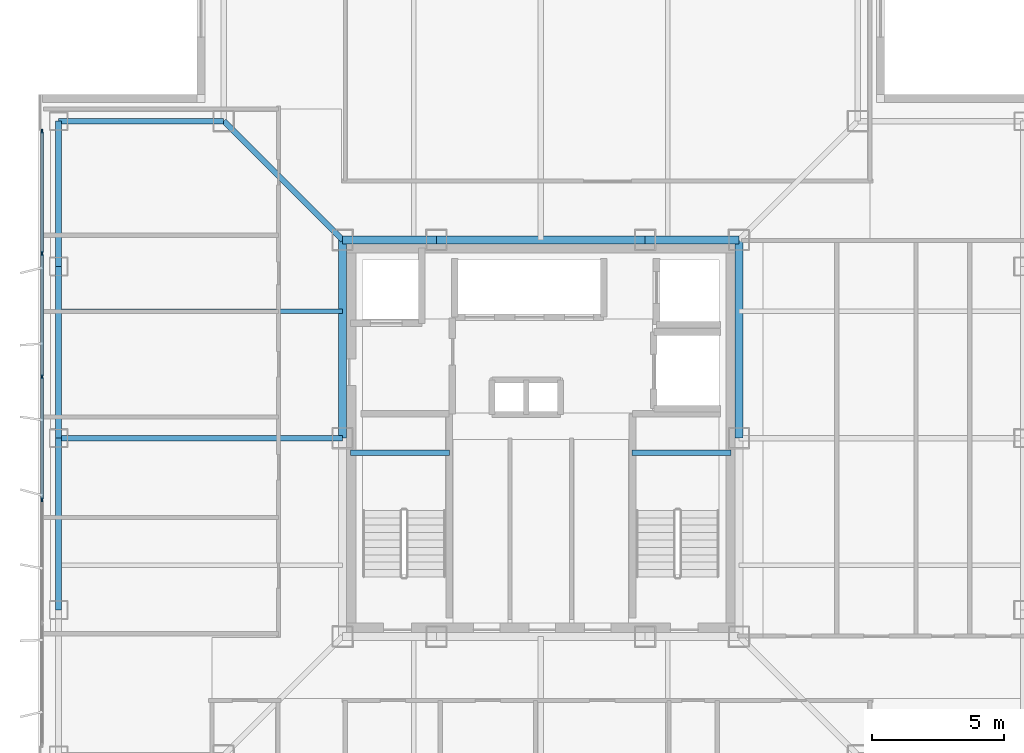
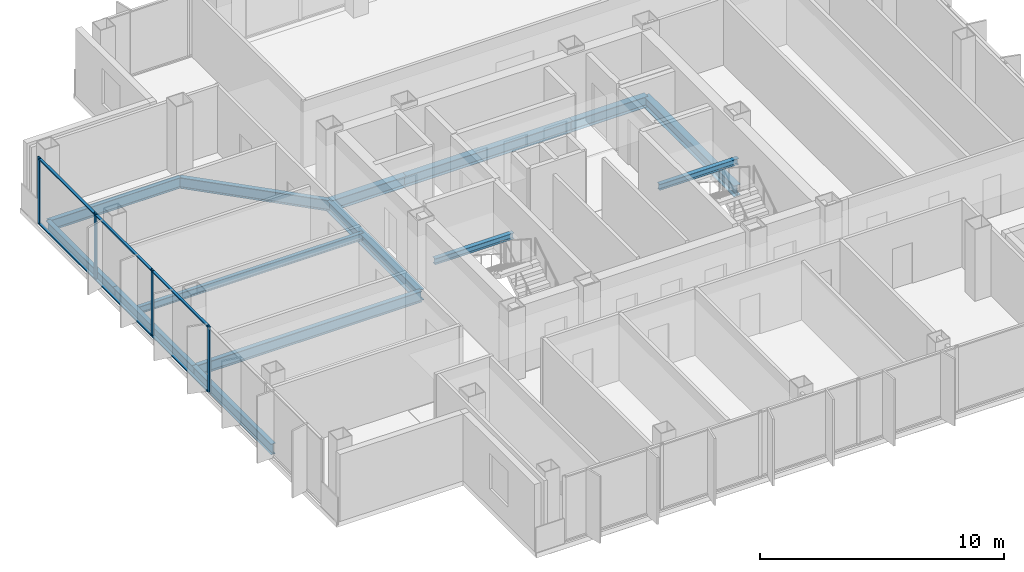
# One storey, part 4 of 15: 14 beams, 10 members, 1 element without a shape of its own.
"""IFC4 building model written with IfcOpenShell, lengths in metres."""

from ifc_helpers import new_model, si_unit, direction, frame, origin, origin_2d, place, context, subcontext, project, spatial, rectangle, i_section, extrude, material, layer, layer_set, material_profile, profile_set, type_object, element, aggregate, save


model = new_model("IFC4")

# Units and contexts
model_context = context("Model", 3, precision=1e-05, world=origin(), true_north=direction((0.0, 1.0)))
body_context = subcontext(model_context, "Body", "Model", "MODEL_VIEW")
ifc_project = project(units=[si_unit("LENGTHUNIT", "METRE"), si_unit("AREAUNIT", "SQUARE_METRE"), si_unit("VOLUMEUNIT", "CUBIC_METRE"), si_unit("PLANEANGLEUNIT", "RADIAN"), si_unit("MASSUNIT", "GRAM", prefix="KILO")], contexts=[model_context])

# Site, building, storey
site_placement = place(None, origin())
site = spatial("IfcSite", under=ifc_project, at=site_placement, CompositionType="ELEMENT")
building_placement = place(site_placement, origin())
building = spatial("IfcBuilding", under=site, at=building_placement, Name="Trevonay Congress Spire", CompositionType="ELEMENT")
storey_placement = place(building_placement, frame((0.0, 0.0, 293.60009765625)))
storey = spatial("IfcBuildingStorey", under=building, at=storey_placement, Name="L77", CompositionType="ELEMENT", Elevation=293.60009765625)

# Beams
ifc_material_1 = material(Name="Steel ASTM A572 Grade 50", Category="steel")
ifc_material_profile_1 = material_profile(ifc_material_1, i_section(OverallWidth=0.2119140625, OverallDepth=0.5439453125, WebThickness=0.01318359375, FlangeThickness=0.021240234375, FilletRadius=0.014892578125, at=origin_2d()), Name="W530x123")
ifc_profile_set_1 = profile_set([ifc_material_profile_1], Name="Steel ASTM A572 Grade 50")
beam_type_1 = type_object("IfcBeamType", Name="BM-GIRD-W530X123", PredefinedType="BEAM", material=ifc_profile_set_1)
beam_1_placement = place(storey_placement, frame((-7.5, 7.5, -0.51220703125), z_axis=(-0.707106781187, 0.707106781187, 0.0), x_axis=(-0.707106781187, -0.707106781187, 0.0)))
element("IfcBeam", 1, at=beam_1_placement, inside=storey, type_object=beam_type_1, Name="L77 structural beam BM-L77-CDNW", PredefinedType="BEAM", context=body_context, shape_type="SweptSolid", body=[
    extrude(i_section(OverallWidth=0.2119140625, OverallDepth=0.5439453125, WebThickness=0.01318359375, FlangeThickness=0.021240234375, FilletRadius=0.014892578125, at=origin_2d()), origin(), (0.0, 0.0, 1.0), 6.364013671875),
])
beam_2_placement = place(storey_placement, frame((-7.5, 0.0, -0.51220703125), z_axis=(-1.0, 0.0, 0.0), x_axis=(0.0, -1.0, 0.0)))
element("IfcBeam", 2, at=beam_2_placement, inside=storey, type_object=beam_type_1, Name="L77 structural beam BM-L77-GC-W", PredefinedType="BEAM", context=body_context, shape_type="SweptSolid", body=[
    extrude(i_section(OverallWidth=0.2119140625, OverallDepth=0.5439453125, WebThickness=0.01318359375, FlangeThickness=0.021240234375, FilletRadius=0.014892578125, at=origin_2d()), origin(), (0.0, 0.0, 1.0), 10.75),
])
ifc_material_profile_2 = material_profile(ifc_material_1, i_section(OverallWidth=0.31201171875, OverallDepth=0.54296875, WebThickness=0.0126953125, FlangeThickness=0.020263671875, FilletRadius=0.014892578125, at=origin_2d()), Name="W530x150")
ifc_profile_set_2 = profile_set([ifc_material_profile_2], Name="Steel ASTM A572 Grade 50")
beam_type_2 = type_object("IfcBeamType", Name="BM-GIRD-W530X150", PredefinedType="BEAM", material=ifc_profile_set_2)
beam_3_placement = place(storey_placement, frame((-7.5, 7.5, -0.51171875), z_axis=(1.0, 0.0, 0.0), x_axis=(0.0, 1.0, 0.0)))
element("IfcBeam", 3, at=beam_3_placement, inside=storey, type_object=beam_type_2, Name="L77 structural beam BM-L77-CR-N1", PredefinedType="BEAM", context=body_context, shape_type="SweptSolid", body=[
    extrude(i_section(OverallWidth=0.31201171875, OverallDepth=0.54296875, WebThickness=0.0126953125, FlangeThickness=0.020263671875, FilletRadius=0.014892578125, at=origin_2d()), origin(), (0.0, 0.0, 1.0), 3.550048828125),
])
beam_4_placement = place(storey_placement, frame((-3.949951171875, 7.5, -0.51171875), z_axis=(1.0, 0.0, 0.0), x_axis=(0.0, 1.0, 0.0)))
element("IfcBeam", 4, at=beam_4_placement, inside=storey, type_object=beam_type_2, Name="L77 structural beam BM-L77-CR-N2", PredefinedType="BEAM", context=body_context, shape_type="SweptSolid", body=[
    extrude(i_section(OverallWidth=0.31201171875, OverallDepth=0.54296875, WebThickness=0.0126953125, FlangeThickness=0.020263671875, FilletRadius=0.014892578125, at=origin_2d()), origin(), (0.0, 0.0, 1.0), 7.89990234375),
])
beam_5_placement = place(storey_placement, frame((3.949951171875, 7.5, -0.51171875), z_axis=(1.0, 0.0, 0.0), x_axis=(0.0, 1.0, 0.0)))
element("IfcBeam", 5, at=beam_5_placement, inside=storey, type_object=beam_type_2, Name="L77 structural beam BM-L77-CR-N3", PredefinedType="BEAM", context=body_context, shape_type="SweptSolid", body=[
    extrude(i_section(OverallWidth=0.31201171875, OverallDepth=0.54296875, WebThickness=0.0126953125, FlangeThickness=0.020263671875, FilletRadius=0.014892578125, at=origin_2d()), origin(), (0.0, 0.0, 1.0), 3.550048828125),
])
for number, where, z_axis, x_axis, name in (
    (6, (-7.5, 0.0, -0.51171875), (0.0, 1.0, 0.0), (-1.0, 0.0, 0.0), "L77 structural beam BM-L77-CR-W2"),
    (7, (7.5, 0.0, -0.51171875), (0.0, 1.0, 0.0), (-1.0, 0.0, 0.0), "L77 structural beam BM-L77-CR-E2"),
):
    element("IfcBeam", number, at=place(storey_placement, frame(where, z_axis=z_axis, x_axis=x_axis)), inside=storey, type_object=beam_type_2, Name=name, PredefinedType="BEAM", context=body_context, shape_type="SweptSolid", body=[
        extrude(i_section(OverallWidth=0.31201171875, OverallDepth=0.54296875, WebThickness=0.0126953125, FlangeThickness=0.020263671875, FilletRadius=0.014892578125, at=origin_2d()), origin(), (0.0, 0.0, 1.0), 7.5),
    ])
ifc_material_profile_3 = material_profile(ifc_material_1, i_section(OverallWidth=0.208984375, OverallDepth=0.532958984375, WebThickness=0.01025390625, FlangeThickness=0.015625, FilletRadius=0.014892578125, at=origin_2d()), Name="W530x92")
ifc_profile_set_3 = profile_set([ifc_material_profile_3], Name="Steel ASTM A572 Grade 50")
beam_type_3 = type_object("IfcBeamType", Name="BM-RING-W530X92", PredefinedType="BEAM", material=ifc_profile_set_3)
for number, where, z_axis, x_axis, name in (
    (8, (-18.25, -6.5, -0.506591796875), (0.0, 1.0, 0.0), (-1.0, 0.0, 0.0), "L77 structural beam BM-L77-PW2"),
    (9, (-18.25, 0.0, -0.506591796875), (0.0, 1.0, 0.0), (-1.0, 0.0, 0.0), "L77 structural beam BM-L77-PW3"),
):
    element("IfcBeam", number, at=place(storey_placement, frame(where, z_axis=z_axis, x_axis=x_axis)), inside=storey, type_object=beam_type_3, Name=name, PredefinedType="BEAM", context=body_context, shape_type="SweptSolid", body=[
        extrude(i_section(OverallWidth=0.208984375, OverallDepth=0.532958984375, WebThickness=0.01025390625, FlangeThickness=0.015625, FilletRadius=0.014892578125, at=origin_2d()), origin(), (0.0, 0.0, 1.0), 6.5),
    ])
beam_6_placement = place(storey_placement, frame((-18.25, 6.5, -0.506591796875), z_axis=(0.0, 1.0, 0.0), x_axis=(-1.0, 0.0, 0.0)))
element("IfcBeam", 10, at=beam_6_placement, inside=storey, type_object=beam_type_3, Name="L77 structural beam BM-L77-PW4", PredefinedType="BEAM", context=body_context, shape_type="SweptSolid", body=[
    extrude(i_section(OverallWidth=0.208984375, OverallDepth=0.532958984375, WebThickness=0.01025390625, FlangeThickness=0.015625, FilletRadius=0.014892578125, at=origin_2d()), origin(), (0.0, 0.0, 1.0), 5.5),
])
beam_7_placement = place(storey_placement, frame((-18.25, 12.0, -0.506591796875), z_axis=(1.0, 0.0, 0.0), x_axis=(0.0, 1.0, 0.0)))
element("IfcBeam", 11, at=beam_7_placement, inside=storey, type_object=beam_type_3, Name="L77 structural beam BM-L77-N2NW", PredefinedType="BEAM", context=body_context, shape_type="SweptSolid", body=[
    extrude(i_section(OverallWidth=0.208984375, OverallDepth=0.532958984375, WebThickness=0.01025390625, FlangeThickness=0.015625, FilletRadius=0.014892578125, at=origin_2d()), origin(), (0.0, 0.0, 1.0), 6.25),
])

# Curtain wall, members
ifc_material_2 = material(Name="Pale Anodised Aluminium EN AW-6063-T6", Category="aluminium")
ifc_layer = layer(ifc_material_2, 0.1650390625, Name="Pale Anodised Aluminium EN AW-6063-T6")
ifc_layer_set = layer_set([ifc_layer], Name="Pale Anodised Aluminium EN AW-6063-T6")
curtain_wall_type = type_object("IfcCurtainWallType", Name="CW-SYS05-DIPLOM-PALE-METAL", PredefinedType="NOTDEFINED", material=ifc_layer_set)
curtain_wall_placement = place(storey_placement, origin())
curtain_wall = element("IfcCurtainWall", 12, at=curtain_wall_placement, inside=storey, type_object=curtain_wall_type, Name="L77 W unitised curtain wall", PredefinedType="NOTDEFINED")
ifc_material_profile_4 = material_profile(ifc_material_2, rectangle(XDim=0.06005859375, YDim=0.159912109375, at=origin_2d()), Name="CW-MULLION-160-ALUMINIUM")
ifc_profile_set_4 = profile_set([ifc_material_profile_4], Name="Pale Anodised Aluminium EN AW-6063-T6")
member_type_1 = type_object("IfcMemberType", Name="CW-MULLION-160-ALUMINIUM", PredefinedType="MULLION", material=ifc_profile_set_4)
member_1_placement = place(storey_placement, frame((-18.8798828125, -2.330078125, 0.0), z_axis=(0.0, 0.0, 1.0), x_axis=(-1.0, 0.0, 0.0)))
member_1 = element("IfcMember", 13, at=member_1_placement, type_object=member_type_1, Name="CW05 mullion 3", PredefinedType="MULLION", context=body_context, shape_type="SweptSolid", body=[
    extrude(rectangle(XDim=0.06005859375, YDim=0.159912109375, at=origin_2d()), origin(), (0.0, 0.0, 1.0), 3.35986328125),
])
member_2_placement = place(storey_placement, frame((-18.8798828125, 2.330078125, 0.0), z_axis=(0.0, 0.0, 1.0), x_axis=(-1.0, 0.0, 0.0)))
member_2 = element("IfcMember", 14, at=member_2_placement, type_object=member_type_1, Name="CW05 mullion 4", PredefinedType="MULLION", context=body_context, shape_type="SweptSolid", body=[
    extrude(rectangle(XDim=0.06005859375, YDim=0.159912109375, at=origin_2d()), origin(), (0.0, 0.0, 1.0), 3.35986328125),
])
member_3_placement = place(storey_placement, frame((-18.8798828125, 6.989990234375, 0.0), z_axis=(0.0, 0.0, 1.0), x_axis=(-1.0, 0.0, 0.0)))
member_3 = element("IfcMember", 15, at=member_3_placement, type_object=member_type_1, Name="CW05 mullion 5", PredefinedType="MULLION", context=body_context, shape_type="SweptSolid", body=[
    extrude(rectangle(XDim=0.06005859375, YDim=0.159912109375, at=origin_2d()), origin(), (0.0, 0.0, 1.0), 3.35986328125),
])
member_4_placement = place(storey_placement, frame((-18.8798828125, 11.6201171875, 0.0), z_axis=(0.0, 0.0, 1.0), x_axis=(-1.0, 0.0, 0.0)))
member_4 = element("IfcMember", 16, at=member_4_placement, type_object=member_type_1, Name="CW05 mullion 6", PredefinedType="MULLION", context=body_context, shape_type="SweptSolid", body=[
    extrude(rectangle(XDim=0.06005859375, YDim=0.159912109375, at=origin_2d()), origin(), (0.0, 0.0, 1.0), 3.35986328125),
])
ifc_material_profile_5 = material_profile(ifc_material_2, rectangle(XDim=0.1201171875, YDim=0.06005859375, at=origin_2d()), Name="CW-TRANSOM-120-ALUMINIUM")
ifc_profile_set_5 = profile_set([ifc_material_profile_5], Name="Pale Anodised Aluminium EN AW-6063-T6")
member_type_2 = type_object("IfcMemberType", Name="CW-TRANSOM-120-ALUMINIUM", PredefinedType="USERDEFINED", material=ifc_profile_set_5)
member_5_placement = place(storey_placement, frame((-18.8798828125, -2.300048828125, 0.059814453125), z_axis=(0.0, 1.0, 0.0), x_axis=(-1.0, 0.0, 0.0)))
member_5 = element("IfcMember", 17, at=member_5_placement, type_object=member_type_2, Name="CW05 transom 3.1", ObjectType="TRANSOM", PredefinedType="USERDEFINED", context=body_context, shape_type="SweptSolid", body=[
    extrude(rectangle(XDim=0.1201171875, YDim=0.06005859375, at=origin_2d()), origin(), (0.0, 0.0, 1.0), 4.60009765625),
])
member_6_placement = place(storey_placement, frame((-18.8798828125, -2.300048828125, 3.2998046875), z_axis=(0.0, 1.0, 0.0), x_axis=(-1.0, 0.0, 0.0)))
member_6 = element("IfcMember", 18, at=member_6_placement, type_object=member_type_2, Name="CW05 transom 3.2", ObjectType="TRANSOM", PredefinedType="USERDEFINED", context=body_context, shape_type="SweptSolid", body=[
    extrude(rectangle(XDim=0.1201171875, YDim=0.06005859375, at=origin_2d()), origin(), (0.0, 0.0, 1.0), 4.60009765625),
])
member_7_placement = place(storey_placement, frame((-18.8798828125, 2.360107421875, 0.059814453125), z_axis=(0.0, 1.0, 0.0), x_axis=(-1.0, 0.0, 0.0)))
member_7 = element("IfcMember", 19, at=member_7_placement, type_object=member_type_2, Name="CW05 transom 4.1", ObjectType="TRANSOM", PredefinedType="USERDEFINED", context=body_context, shape_type="SweptSolid", body=[
    extrude(rectangle(XDim=0.1201171875, YDim=0.06005859375, at=origin_2d()), origin(), (0.0, 0.0, 1.0), 4.599853515625),
])
member_8_placement = place(storey_placement, frame((-18.8798828125, 2.360107421875, 3.2998046875), z_axis=(0.0, 1.0, 0.0), x_axis=(-1.0, 0.0, 0.0)))
member_8 = element("IfcMember", 20, at=member_8_placement, type_object=member_type_2, Name="CW05 transom 4.2", ObjectType="TRANSOM", PredefinedType="USERDEFINED", context=body_context, shape_type="SweptSolid", body=[
    extrude(rectangle(XDim=0.1201171875, YDim=0.06005859375, at=origin_2d()), origin(), (0.0, 0.0, 1.0), 4.599853515625),
])
member_9_placement = place(storey_placement, frame((-18.8798828125, 7.02001953125, 0.059814453125), z_axis=(0.0, 1.0, 0.0), x_axis=(-1.0, 0.0, 0.0)))
member_9 = element("IfcMember", 21, at=member_9_placement, type_object=member_type_2, Name="CW05 transom 5.1", ObjectType="TRANSOM", PredefinedType="USERDEFINED", context=body_context, shape_type="SweptSolid", body=[
    extrude(rectangle(XDim=0.1201171875, YDim=0.06005859375, at=origin_2d()), origin(), (0.0, 0.0, 1.0), 4.570068359375),
])
member_10_placement = place(storey_placement, frame((-18.8798828125, 7.02001953125, 3.2998046875), z_axis=(0.0, 1.0, 0.0), x_axis=(-1.0, 0.0, 0.0)))
member_10 = element("IfcMember", 22, at=member_10_placement, type_object=member_type_2, Name="CW05 transom 5.2", ObjectType="TRANSOM", PredefinedType="USERDEFINED", context=body_context, shape_type="SweptSolid", body=[
    extrude(rectangle(XDim=0.1201171875, YDim=0.06005859375, at=origin_2d()), origin(), (0.0, 0.0, 1.0), 4.570068359375),
])
aggregate(curtain_wall, [member_1, member_2, member_3, member_4, member_5, member_6, member_7, member_8, member_9, member_10])

# Beams
ifc_material_profile_6 = material_profile(ifc_material_1, i_section(OverallWidth=0.172119140625, OverallDepth=0.35791015625, WebThickness=0.0078125, FlangeThickness=0.01318359375, FilletRadius=0.011962890625, at=origin_2d()), Name="W360x57.8")
ifc_profile_set_6 = profile_set([ifc_material_profile_6], Name="Steel ASTM A572 Grade 50")
beam_type_4 = type_object("IfcBeamType", Name="JS-COMP-W360X57", PredefinedType="JOIST", material=ifc_profile_set_6)
beam_8_placement = place(storey_placement, frame((-18.25, 4.800048828125, -0.419189453125), z_axis=(1.0, 0.0, 0.0), x_axis=(0.0, 1.0, 0.0)))
element("IfcBeam", 23, at=beam_8_placement, inside=storey, type_object=beam_type_4, Name="L77 structural beam JS-L77-EW-W3", PredefinedType="JOIST", context=body_context, shape_type="SweptSolid", body=[
    extrude(i_section(OverallWidth=0.172119140625, OverallDepth=0.35791015625, WebThickness=0.0078125, FlangeThickness=0.01318359375, FilletRadius=0.011962890625, at=origin_2d()), origin(), (0.0, 0.0, 1.0), 10.75),
])
ifc_material_profile_7 = material_profile(ifc_material_1, i_section(OverallWidth=0.2041015625, OverallDepth=0.305908203125, WebThickness=0.008544921875, FlangeThickness=0.0146484375, FilletRadius=0.010986328125, at=origin_2d()), Name="W310x67")
ifc_profile_set_7 = profile_set([ifc_material_profile_7], Name="Steel ASTM A572 Grade 50")
beam_type_5 = type_object("IfcBeamType", Name="LN-CORE-W310X67", PredefinedType="LINTEL", material=ifc_profile_set_7)
for number, where, z_axis, x_axis, name in (
    (24, (-7.199951171875, -0.550048828125, 1.447021484375), (1.0, 0.0, 0.0), (0.0, 1.0, 0.0), "L77 structural beam BM-L77-HL-ST1"),
    (25, (3.449951171875, -0.550048828125, 1.447021484375), (1.0, 0.0, 0.0), (0.0, 1.0, 0.0), "L77 structural beam BM-L77-HL-ST2"),
):
    element("IfcBeam", number, at=place(storey_placement, frame(where, z_axis=z_axis, x_axis=x_axis)), inside=storey, type_object=beam_type_5, Name=name, PredefinedType="LINTEL", context=body_context, shape_type="SweptSolid", body=[
        extrude(i_section(OverallWidth=0.2041015625, OverallDepth=0.305908203125, WebThickness=0.008544921875, FlangeThickness=0.0146484375, FilletRadius=0.010986328125, at=origin_2d()), origin(), (0.0, 0.0, 1.0), 3.75),
    ])

save(model, "model.ifc")
